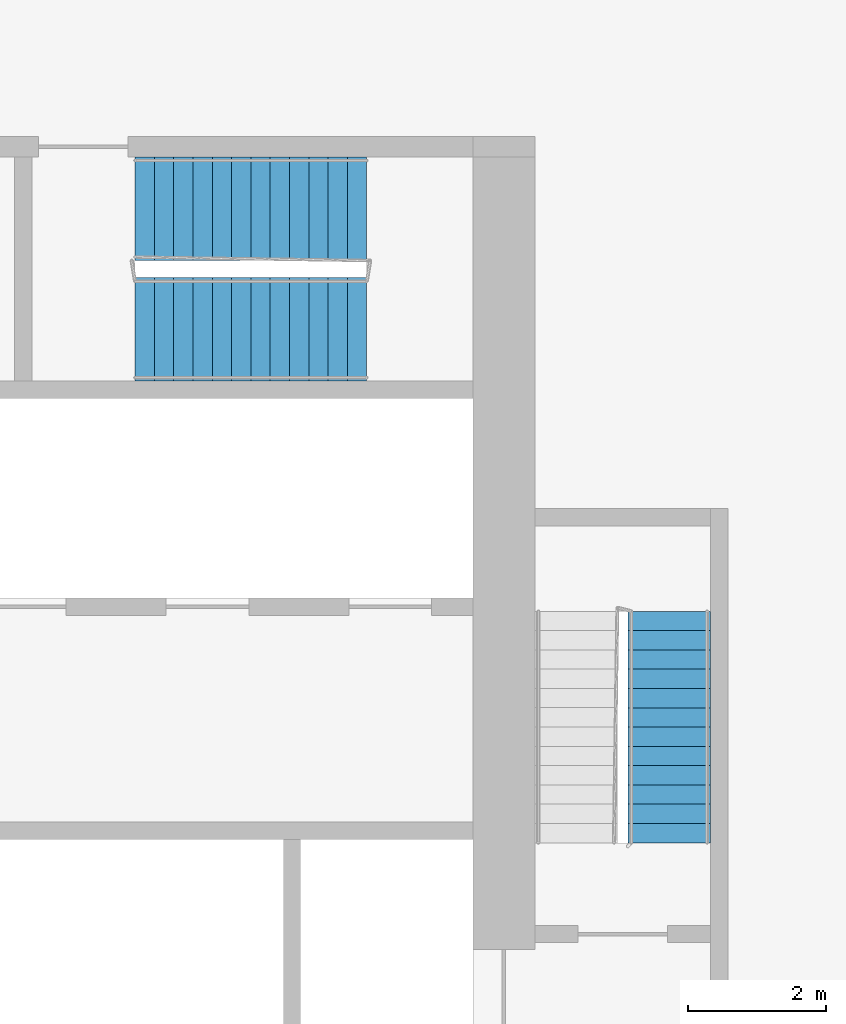
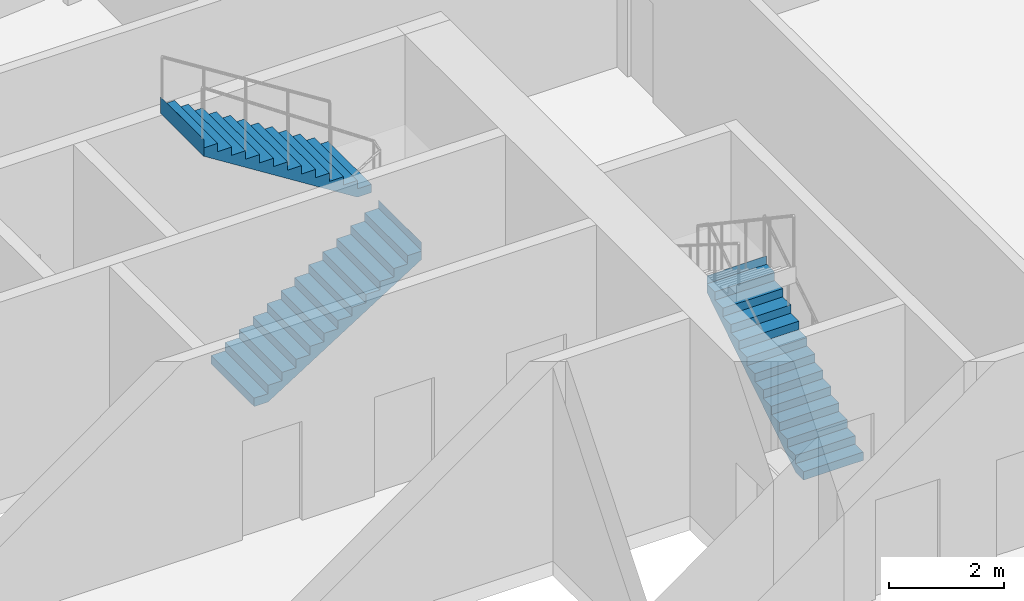
# One storey, part 20 of 22: 3 stair flights, 2 elements without a shape of their own.
"""IFC4 building model written with IfcOpenShell, lengths in metres."""

from ifc_helpers import new_model, si_unit, direction, frame, origin, place, context, subcontext, project, spatial, faceted_brep, material, type_object, element, aggregate, save


model = new_model("IFC4")

# Units and contexts
model_context = context("Model", 3, precision=1e-05, world=origin(), true_north=direction((0.0, 1.0)))
body_context = subcontext(model_context, "Body", "Model", "MODEL_VIEW")
ifc_project = project(units=[si_unit("LENGTHUNIT", "METRE"), si_unit("AREAUNIT", "SQUARE_METRE"), si_unit("VOLUMEUNIT", "CUBIC_METRE"), si_unit("PLANEANGLEUNIT", "RADIAN"), si_unit("MASSUNIT", "GRAM", prefix="KILO")], contexts=[model_context])

# Site, building, storey
site_placement = place(None, origin())
site = spatial("IfcSite", under=ifc_project, at=site_placement, CompositionType="ELEMENT")
building_placement = place(site_placement, origin())
building = spatial("IfcBuilding", under=site, at=building_placement, Name="Kajstack Hotel Tower", CompositionType="ELEMENT")
storey_placement = place(building_placement, frame((0.0, 0.0, 150.39990234375)))
storey = spatial("IfcBuildingStorey", under=building, at=storey_placement, Name="L35", CompositionType="ELEMENT", Elevation=150.39990234375)

# Stair, stair flight
ifc_material = material(Name="Concrete C40/50", Category="concrete")
stair_type_1 = type_object("IfcStairType", Name="Exit stair 1200", PredefinedType="HALF_TURN_STAIR", material=ifc_material)
stair_1_placement = place(storey_placement, origin())
stair_1 = element("IfcStair", 1, at=stair_1_placement, inside=storey, type_object=stair_type_1, Name="L35 stair E1", PredefinedType="HALF_TURN_STAIR")
stair_flight_type_1 = type_object("IfcStairFlightType", Name="Exit stair flight 1200", PredefinedType="STRAIGHT", material=ifc_material)
stair_flight_1_placement = place(storey_placement, frame((33.449951171875, 5.25, 0.0), z_axis=(0.0, 0.0, 1.0), x_axis=(0.0, 1.0, 0.0)))
stair_flight_1 = element("IfcStairFlight", 2, at=stair_flight_1_placement, type_object=stair_flight_type_1, Name="E1 flight 1", NumberOfRisers=13, NumberOfTreads=12, PredefinedType="STRAIGHT", RiserHeight=0.176923077, TreadLength=0.28, context=body_context, shape_type="Brep", body=[
    faceted_brep([(0.281005859375, -0.60009765625, 0.0), (3.360595703125, -0.60009765625, 1.94580078125), (3.360595703125, -0.60009765625, 2.300048828125), (3.360107421875, -0.60009765625, 2.300048828125), (3.360107421875, -0.60009765625, 2.123046875), (3.080078125, -0.60009765625, 2.123046875), (3.080078125, -0.60009765625, 1.946044921875), (2.800048828125, -0.60009765625, 1.946044921875), (2.800048828125, -0.60009765625, 1.769287109375), (2.52001953125, -0.60009765625, 1.769287109375), (2.52001953125, -0.60009765625, 1.59228515625), (2.239990234375, -0.60009765625, 1.59228515625), (2.239990234375, -0.60009765625, 1.415283203125), (1.9599609375, -0.60009765625, 1.415283203125), (1.9599609375, -0.60009765625, 1.238525390625), (1.679931640625, -0.60009765625, 1.238525390625), (1.679931640625, -0.60009765625, 1.0615234375), (1.39990234375, -0.60009765625, 1.0615234375), (1.39990234375, -0.60009765625, 0.884521484375), (1.1201171875, -0.60009765625, 0.884521484375), (1.1201171875, -0.60009765625, 0.707763671875), (0.840087890625, -0.60009765625, 0.707763671875), (0.840087890625, -0.60009765625, 0.53076171875), (0.56005859375, -0.60009765625, 0.53076171875), (0.56005859375, -0.60009765625, 0.353759765625), (0.280029296875, -0.60009765625, 0.353759765625), (0.280029296875, -0.60009765625, 0.177001953125), (-0.00048828125, -0.60009765625, 0.177001953125), (-0.00048828125, -0.60009765625, 0.0), (-0.00048828125, 0.60009765625, 0.0), (-0.00048828125, 0.60009765625, 0.177001953125), (0.280029296875, 0.60009765625, 0.177001953125), (0.280029296875, 0.60009765625, 0.353759765625), (0.56005859375, 0.60009765625, 0.353759765625), (0.56005859375, 0.60009765625, 0.53076171875), (0.840087890625, 0.60009765625, 0.53076171875), (0.840087890625, 0.60009765625, 0.707763671875), (1.1201171875, 0.60009765625, 0.707763671875), (1.1201171875, 0.60009765625, 0.884521484375), (1.39990234375, 0.60009765625, 0.884521484375), (1.39990234375, 0.60009765625, 1.0615234375), (1.679931640625, 0.60009765625, 1.0615234375), (1.679931640625, 0.60009765625, 1.238525390625), (1.9599609375, 0.60009765625, 1.238525390625), (1.9599609375, 0.60009765625, 1.415283203125), (2.239990234375, 0.60009765625, 1.415283203125), (2.239990234375, 0.60009765625, 1.59228515625), (2.52001953125, 0.60009765625, 1.59228515625), (2.52001953125, 0.60009765625, 1.769287109375), (2.800048828125, 0.60009765625, 1.769287109375), (2.800048828125, 0.60009765625, 1.946044921875), (3.080078125, 0.60009765625, 1.946044921875), (3.080078125, 0.60009765625, 2.123046875), (3.360107421875, 0.60009765625, 2.123046875), (3.360107421875, 0.60009765625, 2.300048828125), (3.360595703125, 0.60009765625, 2.300048828125), (3.360595703125, 0.60009765625, 1.94580078125), (0.281005859375, 0.60009765625, 0.0), (-0.00048828125, -0.300048828125, 0.177001953125), (-0.00048828125, 0.0, 0.177001953125), (-0.00048828125, 0.300048828125, 0.177001953125), (-0.00048828125, 0.300048828125, 0.0), (-0.00048828125, 0.0, 0.0), (-0.00048828125, -0.300048828125, 0.0), (0.280029296875, -0.300048828125, 0.177001953125), (0.280029296875, 0.0, 0.177001953125), (0.280029296875, 0.300048828125, 0.177001953125), (0.280029296875, -0.300048828125, 0.353759765625), (0.280029296875, 0.0, 0.353759765625), (0.280029296875, 0.300048828125, 0.353759765625), (0.56005859375, -0.300048828125, 0.353759765625), (0.56005859375, 0.0, 0.353759765625), (0.56005859375, 0.300048828125, 0.353759765625), (0.56005859375, -0.300048828125, 0.53076171875), (0.56005859375, 0.0, 0.53076171875), (0.56005859375, 0.300048828125, 0.53076171875), (0.840087890625, -0.300048828125, 0.53076171875), (0.840087890625, 0.0, 0.53076171875), (0.840087890625, 0.300048828125, 0.53076171875), (0.840087890625, -0.300048828125, 0.707763671875), (0.840087890625, 0.0, 0.707763671875), (0.840087890625, 0.300048828125, 0.707763671875), (1.1201171875, -0.300048828125, 0.707763671875), (1.1201171875, 0.0, 0.707763671875), (1.1201171875, 0.300048828125, 0.707763671875), (1.1201171875, -0.300048828125, 0.884521484375), (1.1201171875, 0.0, 0.884521484375), (1.1201171875, 0.300048828125, 0.884521484375), (1.39990234375, -0.300048828125, 0.884521484375), (1.39990234375, 0.0, 0.884521484375), (1.39990234375, 0.300048828125, 0.884521484375), (1.39990234375, -0.300048828125, 1.0615234375), (1.39990234375, 0.0, 1.0615234375), (1.39990234375, 0.300048828125, 1.0615234375), (1.679931640625, -0.300048828125, 1.0615234375), (1.679931640625, 0.0, 1.0615234375), (1.679931640625, 0.300048828125, 1.0615234375), (1.679931640625, -0.300048828125, 1.238525390625), (1.679931640625, 0.0, 1.238525390625), (1.679931640625, 0.300048828125, 1.238525390625), (1.9599609375, -0.300048828125, 1.238525390625), (1.9599609375, 0.0, 1.238525390625), (1.9599609375, 0.300048828125, 1.238525390625), (1.9599609375, -0.300048828125, 1.415283203125), (1.9599609375, 0.0, 1.415283203125), (1.9599609375, 0.300048828125, 1.415283203125), (2.239990234375, -0.300048828125, 1.415283203125), (2.239990234375, 0.0, 1.415283203125), (2.239990234375, 0.300048828125, 1.415283203125), (2.239990234375, -0.300048828125, 1.59228515625), (2.239990234375, 0.0, 1.59228515625), (2.239990234375, 0.300048828125, 1.59228515625), (2.52001953125, -0.300048828125, 1.59228515625), (2.52001953125, 0.0, 1.59228515625), (2.52001953125, 0.300048828125, 1.59228515625), (2.52001953125, -0.300048828125, 1.769287109375), (2.52001953125, 0.0, 1.769287109375), (2.52001953125, 0.300048828125, 1.769287109375), (2.800048828125, -0.300048828125, 1.769287109375), (2.800048828125, 0.0, 1.769287109375), (2.800048828125, 0.300048828125, 1.769287109375), (2.800048828125, -0.300048828125, 1.946044921875), (2.800048828125, 0.0, 1.946044921875), (2.800048828125, 0.300048828125, 1.946044921875), (3.080078125, -0.300048828125, 1.946044921875), (3.080078125, 0.0, 1.946044921875), (3.080078125, 0.300048828125, 1.946044921875), (3.080078125, -0.300048828125, 2.123046875), (3.080078125, 0.0, 2.123046875), (3.080078125, 0.300048828125, 2.123046875), (3.360107421875, -0.300048828125, 2.123046875), (3.360107421875, 0.0, 2.123046875), (3.360107421875, 0.300048828125, 2.123046875), (3.360107421875, -0.300048828125, 2.300048828125), (3.360107421875, 0.0, 2.300048828125), (3.360107421875, 0.300048828125, 2.300048828125), (3.360595703125, -0.300048828125, 2.300048828125), (3.360595703125, 0.0, 2.300048828125), (3.360595703125, 0.300048828125, 2.300048828125), (3.360595703125, -0.300048828125, 1.94580078125), (3.360595703125, 0.0, 1.94580078125), (3.360595703125, 0.300048828125, 1.94580078125), (0.281005859375, -0.300048828125, 0.0), (0.281005859375, 0.0, 0.0), (0.281005859375, 0.300048828125, 0.0)], [[[0, 1, 2, 3, 4, 5, 6, 7, 8, 9, 10, 11, 12, 13, 14, 15, 16, 17, 18, 19, 20, 21, 22, 23, 24, 25, 26, 27, 28]], [[29, 30, 31, 32, 33, 34, 35, 36, 37, 38, 39, 40, 41, 42, 43, 44, 45, 46, 47, 48, 49, 50, 51, 52, 53, 54, 55, 56, 57]], [[27, 58, 59, 60, 30, 29, 61, 62, 63, 28]], [[26, 64, 65, 66, 31, 30, 60, 59, 58, 27]], [[25, 67, 68, 69, 32, 31, 66, 65, 64, 26]], [[24, 70, 71, 72, 33, 32, 69, 68, 67, 25]], [[23, 73, 74, 75, 34, 33, 72, 71, 70, 24]], [[22, 76, 77, 78, 35, 34, 75, 74, 73, 23]], [[21, 79, 80, 81, 36, 35, 78, 77, 76, 22]], [[20, 82, 83, 84, 37, 36, 81, 80, 79, 21]], [[19, 85, 86, 87, 38, 37, 84, 83, 82, 20]], [[18, 88, 89, 90, 39, 38, 87, 86, 85, 19]], [[17, 91, 92, 93, 40, 39, 90, 89, 88, 18]], [[16, 94, 95, 96, 41, 40, 93, 92, 91, 17]], [[15, 97, 98, 99, 42, 41, 96, 95, 94, 16]], [[14, 100, 101, 102, 43, 42, 99, 98, 97, 15]], [[13, 103, 104, 105, 44, 43, 102, 101, 100, 14]], [[12, 106, 107, 108, 45, 44, 105, 104, 103, 13]], [[11, 109, 110, 111, 46, 45, 108, 107, 106, 12]], [[10, 112, 113, 114, 47, 46, 111, 110, 109, 11]], [[9, 115, 116, 117, 48, 47, 114, 113, 112, 10]], [[8, 118, 119, 120, 49, 48, 117, 116, 115, 9]], [[7, 121, 122, 123, 50, 49, 120, 119, 118, 8]], [[6, 124, 125, 126, 51, 50, 123, 122, 121, 7]], [[5, 127, 128, 129, 52, 51, 126, 125, 124, 6]], [[4, 130, 131, 132, 53, 52, 129, 128, 127, 5]], [[3, 133, 134, 135, 54, 53, 132, 131, 130, 4]], [[2, 136, 137, 138, 55, 54, 135, 134, 133, 3]], [[1, 139, 140, 141, 56, 55, 138, 137, 136, 2]], [[0, 142, 143, 144, 57, 56, 141, 140, 139, 1]], [[28, 63, 62, 61, 29, 57, 144, 143, 142, 0]]]),
])
aggregate(stair_1, [stair_flight_1])

# Stair, stair flights
stair_type_2 = type_object("IfcStairType", Name="Exit stair 1500", PredefinedType="HALF_TURN_STAIR", material=ifc_material)
stair_2_placement = place(storey_placement, origin())
stair_2 = element("IfcStair", 3, at=stair_2_placement, inside=storey, type_object=stair_type_2, Name="L35 stair E3", PredefinedType="HALF_TURN_STAIR")
stair_flight_type_2 = type_object("IfcStairFlightType", Name="Exit stair flight 1500", PredefinedType="STRAIGHT", material=ifc_material)
stair_flight_2_placement = place(storey_placement, frame((25.699951171875, 12.699951171875, 0.0), z_axis=(0.0, 0.0, 1.0), x_axis=(1.0, 0.0, 0.0)))
stair_flight_2 = element("IfcStairFlight", 4, at=stair_flight_2_placement, type_object=stair_flight_type_2, Name="E3 flight 1", NumberOfRisers=13, NumberOfTreads=12, PredefinedType="STRAIGHT", RiserHeight=0.176923077, TreadLength=0.28, context=body_context, shape_type="Brep", body=[
    faceted_brep([(0.281005859375, -0.75, 0.0), (3.360595703125, -0.75, 1.94580078125), (3.360595703125, -0.75, 2.300048828125), (3.360107421875, -0.75, 2.300048828125), (3.360107421875, -0.75, 2.123046875), (3.080078125, -0.75, 2.123046875), (3.080078125, -0.75, 1.946044921875), (2.800048828125, -0.75, 1.946044921875), (2.800048828125, -0.75, 1.769287109375), (2.52001953125, -0.75, 1.769287109375), (2.52001953125, -0.75, 1.59228515625), (2.239990234375, -0.75, 1.59228515625), (2.239990234375, -0.75, 1.415283203125), (1.9599609375, -0.75, 1.415283203125), (1.9599609375, -0.75, 1.238525390625), (1.679931640625, -0.75, 1.238525390625), (1.679931640625, -0.75, 1.0615234375), (1.39990234375, -0.75, 1.0615234375), (1.39990234375, -0.75, 0.884521484375), (1.1201171875, -0.75, 0.884521484375), (1.1201171875, -0.75, 0.707763671875), (0.840087890625, -0.75, 0.707763671875), (0.840087890625, -0.75, 0.53076171875), (0.56005859375, -0.75, 0.53076171875), (0.56005859375, -0.75, 0.353759765625), (0.280029296875, -0.75, 0.353759765625), (0.280029296875, -0.75, 0.177001953125), (-0.00048828125, -0.75, 0.177001953125), (-0.00048828125, -0.75, 0.0), (-0.00048828125, 0.75, 0.0), (-0.00048828125, 0.75, 0.177001953125), (0.280029296875, 0.75, 0.177001953125), (0.280029296875, 0.75, 0.353759765625), (0.56005859375, 0.75, 0.353759765625), (0.56005859375, 0.75, 0.53076171875), (0.840087890625, 0.75, 0.53076171875), (0.840087890625, 0.75, 0.707763671875), (1.1201171875, 0.75, 0.707763671875), (1.1201171875, 0.75, 0.884521484375), (1.39990234375, 0.75, 0.884521484375), (1.39990234375, 0.75, 1.0615234375), (1.679931640625, 0.75, 1.0615234375), (1.679931640625, 0.75, 1.238525390625), (1.9599609375, 0.75, 1.238525390625), (1.9599609375, 0.75, 1.415283203125), (2.239990234375, 0.75, 1.415283203125), (2.239990234375, 0.75, 1.59228515625), (2.52001953125, 0.75, 1.59228515625), (2.52001953125, 0.75, 1.769287109375), (2.800048828125, 0.75, 1.769287109375), (2.800048828125, 0.75, 1.946044921875), (3.080078125, 0.75, 1.946044921875), (3.080078125, 0.75, 2.123046875), (3.360107421875, 0.75, 2.123046875), (3.360107421875, 0.75, 2.300048828125), (3.360595703125, 0.75, 2.300048828125), (3.360595703125, 0.75, 1.94580078125), (0.281005859375, 0.75, 0.0), (-0.00048828125, -0.375, 0.177001953125), (-0.00048828125, 0.0, 0.177001953125), (-0.00048828125, 0.375, 0.177001953125), (-0.00048828125, 0.375, 0.0), (-0.00048828125, 0.0, 0.0), (-0.00048828125, -0.375, 0.0), (0.280029296875, -0.375, 0.177001953125), (0.280029296875, 0.0, 0.177001953125), (0.280029296875, 0.375, 0.177001953125), (0.280029296875, -0.375, 0.353759765625), (0.280029296875, 0.0, 0.353759765625), (0.280029296875, 0.375, 0.353759765625), (0.56005859375, -0.375, 0.353759765625), (0.56005859375, 0.0, 0.353759765625), (0.56005859375, 0.375, 0.353759765625), (0.56005859375, -0.375, 0.53076171875), (0.56005859375, 0.0, 0.53076171875), (0.56005859375, 0.375, 0.53076171875), (0.840087890625, -0.375, 0.53076171875), (0.840087890625, 0.0, 0.53076171875), (0.840087890625, 0.375, 0.53076171875), (0.840087890625, -0.375, 0.707763671875), (0.840087890625, 0.0, 0.707763671875), (0.840087890625, 0.375, 0.707763671875), (1.1201171875, -0.375, 0.707763671875), (1.1201171875, 0.0, 0.707763671875), (1.1201171875, 0.375, 0.707763671875), (1.1201171875, -0.375, 0.884521484375), (1.1201171875, 0.0, 0.884521484375), (1.1201171875, 0.375, 0.884521484375), (1.39990234375, -0.375, 0.884521484375), (1.39990234375, 0.0, 0.884521484375), (1.39990234375, 0.375, 0.884521484375), (1.39990234375, -0.375, 1.0615234375), (1.39990234375, 0.0, 1.0615234375), (1.39990234375, 0.375, 1.0615234375), (1.679931640625, -0.375, 1.0615234375), (1.679931640625, 0.0, 1.0615234375), (1.679931640625, 0.375, 1.0615234375), (1.679931640625, -0.375, 1.238525390625), (1.679931640625, 0.0, 1.238525390625), (1.679931640625, 0.375, 1.238525390625), (1.9599609375, -0.375, 1.238525390625), (1.9599609375, 0.0, 1.238525390625), (1.9599609375, 0.375, 1.238525390625), (1.9599609375, -0.375, 1.415283203125), (1.9599609375, 0.0, 1.415283203125), (1.9599609375, 0.375, 1.415283203125), (2.239990234375, -0.375, 1.415283203125), (2.239990234375, 0.0, 1.415283203125), (2.239990234375, 0.375, 1.415283203125), (2.239990234375, -0.375, 1.59228515625), (2.239990234375, 0.0, 1.59228515625), (2.239990234375, 0.375, 1.59228515625), (2.52001953125, -0.375, 1.59228515625), (2.52001953125, 0.0, 1.59228515625), (2.52001953125, 0.375, 1.59228515625), (2.52001953125, -0.375, 1.769287109375), (2.52001953125, 0.0, 1.769287109375), (2.52001953125, 0.375, 1.769287109375), (2.800048828125, -0.375, 1.769287109375), (2.800048828125, 0.0, 1.769287109375), (2.800048828125, 0.375, 1.769287109375), (2.800048828125, -0.375, 1.946044921875), (2.800048828125, 0.0, 1.946044921875), (2.800048828125, 0.375, 1.946044921875), (3.080078125, -0.375, 1.946044921875), (3.080078125, 0.0, 1.946044921875), (3.080078125, 0.375, 1.946044921875), (3.080078125, -0.375, 2.123046875), (3.080078125, 0.0, 2.123046875), (3.080078125, 0.375, 2.123046875), (3.360107421875, -0.375, 2.123046875), (3.360107421875, 0.0, 2.123046875), (3.360107421875, 0.375, 2.123046875), (3.360107421875, -0.375, 2.300048828125), (3.360107421875, 0.0, 2.300048828125), (3.360107421875, 0.375, 2.300048828125), (3.360595703125, -0.375, 2.300048828125), (3.360595703125, 0.0, 2.300048828125), (3.360595703125, 0.375, 2.300048828125), (3.360595703125, -0.375, 1.94580078125), (3.360595703125, 0.0, 1.94580078125), (3.360595703125, 0.375, 1.94580078125), (0.281005859375, -0.375, 0.0), (0.281005859375, 0.0, 0.0), (0.281005859375, 0.375, 0.0)], [[[0, 1, 2, 3, 4, 5, 6, 7, 8, 9, 10, 11, 12, 13, 14, 15, 16, 17, 18, 19, 20, 21, 22, 23, 24, 25, 26, 27, 28]], [[29, 30, 31, 32, 33, 34, 35, 36, 37, 38, 39, 40, 41, 42, 43, 44, 45, 46, 47, 48, 49, 50, 51, 52, 53, 54, 55, 56, 57]], [[27, 58, 59, 60, 30, 29, 61, 62, 63, 28]], [[26, 64, 65, 66, 31, 30, 60, 59, 58, 27]], [[25, 67, 68, 69, 32, 31, 66, 65, 64, 26]], [[24, 70, 71, 72, 33, 32, 69, 68, 67, 25]], [[23, 73, 74, 75, 34, 33, 72, 71, 70, 24]], [[22, 76, 77, 78, 35, 34, 75, 74, 73, 23]], [[21, 79, 80, 81, 36, 35, 78, 77, 76, 22]], [[20, 82, 83, 84, 37, 36, 81, 80, 79, 21]], [[19, 85, 86, 87, 38, 37, 84, 83, 82, 20]], [[18, 88, 89, 90, 39, 38, 87, 86, 85, 19]], [[17, 91, 92, 93, 40, 39, 90, 89, 88, 18]], [[16, 94, 95, 96, 41, 40, 93, 92, 91, 17]], [[15, 97, 98, 99, 42, 41, 96, 95, 94, 16]], [[14, 100, 101, 102, 43, 42, 99, 98, 97, 15]], [[13, 103, 104, 105, 44, 43, 102, 101, 100, 14]], [[12, 106, 107, 108, 45, 44, 105, 104, 103, 13]], [[11, 109, 110, 111, 46, 45, 108, 107, 106, 12]], [[10, 112, 113, 114, 47, 46, 111, 110, 109, 11]], [[9, 115, 116, 117, 48, 47, 114, 113, 112, 10]], [[8, 118, 119, 120, 49, 48, 117, 116, 115, 9]], [[7, 121, 122, 123, 50, 49, 120, 119, 118, 8]], [[6, 124, 125, 126, 51, 50, 123, 122, 121, 7]], [[5, 127, 128, 129, 52, 51, 126, 125, 124, 6]], [[4, 130, 131, 132, 53, 52, 129, 128, 127, 5]], [[3, 133, 134, 135, 54, 53, 132, 131, 130, 4]], [[2, 136, 137, 138, 55, 54, 135, 134, 133, 3]], [[1, 139, 140, 141, 56, 55, 138, 137, 136, 2]], [[0, 142, 143, 144, 57, 56, 141, 140, 139, 1]], [[28, 63, 62, 61, 29, 57, 144, 143, 142, 0]]]),
])
stair_flight_3_placement = place(storey_placement, frame((29.06005859375, 14.449951171875, 2.300048828125), z_axis=(0.0, 0.0, 1.0), x_axis=(-1.0, 0.0, 0.0)))
stair_flight_3 = element("IfcStairFlight", 5, at=stair_flight_3_placement, type_object=stair_flight_type_2, Name="E3 flight 2", NumberOfRisers=13, NumberOfTreads=12, PredefinedType="STRAIGHT", RiserHeight=0.176923077, TreadLength=0.28, context=body_context, shape_type="Brep", body=[
    faceted_brep([(0.281005859375, -0.75, 0.0), (3.360595703125, -0.75, 1.94580078125), (3.360595703125, -0.75, 2.300048828125), (3.360107421875, -0.75, 2.300048828125), (3.360107421875, -0.75, 2.123046875), (3.080078125, -0.75, 2.123046875), (3.080078125, -0.75, 1.946044921875), (2.800048828125, -0.75, 1.946044921875), (2.800048828125, -0.75, 1.769287109375), (2.52001953125, -0.75, 1.769287109375), (2.52001953125, -0.75, 1.59228515625), (2.239990234375, -0.75, 1.59228515625), (2.239990234375, -0.75, 1.415283203125), (1.9599609375, -0.75, 1.415283203125), (1.9599609375, -0.75, 1.238525390625), (1.679931640625, -0.75, 1.238525390625), (1.679931640625, -0.75, 1.0615234375), (1.39990234375, -0.75, 1.0615234375), (1.39990234375, -0.75, 0.884521484375), (1.1201171875, -0.75, 0.884521484375), (1.1201171875, -0.75, 0.707763671875), (0.840087890625, -0.75, 0.707763671875), (0.840087890625, -0.75, 0.53076171875), (0.56005859375, -0.75, 0.53076171875), (0.56005859375, -0.75, 0.353759765625), (0.280029296875, -0.75, 0.353759765625), (0.280029296875, -0.75, 0.177001953125), (-0.00048828125, -0.75, 0.177001953125), (-0.00048828125, -0.75, 0.0), (-0.00048828125, 0.75, 0.0), (-0.00048828125, 0.75, 0.177001953125), (0.280029296875, 0.75, 0.177001953125), (0.280029296875, 0.75, 0.353759765625), (0.56005859375, 0.75, 0.353759765625), (0.56005859375, 0.75, 0.53076171875), (0.840087890625, 0.75, 0.53076171875), (0.840087890625, 0.75, 0.707763671875), (1.1201171875, 0.75, 0.707763671875), (1.1201171875, 0.75, 0.884521484375), (1.39990234375, 0.75, 0.884521484375), (1.39990234375, 0.75, 1.0615234375), (1.679931640625, 0.75, 1.0615234375), (1.679931640625, 0.75, 1.238525390625), (1.9599609375, 0.75, 1.238525390625), (1.9599609375, 0.75, 1.415283203125), (2.239990234375, 0.75, 1.415283203125), (2.239990234375, 0.75, 1.59228515625), (2.52001953125, 0.75, 1.59228515625), (2.52001953125, 0.75, 1.769287109375), (2.800048828125, 0.75, 1.769287109375), (2.800048828125, 0.75, 1.946044921875), (3.080078125, 0.75, 1.946044921875), (3.080078125, 0.75, 2.123046875), (3.360107421875, 0.75, 2.123046875), (3.360107421875, 0.75, 2.300048828125), (3.360595703125, 0.75, 2.300048828125), (3.360595703125, 0.75, 1.94580078125), (0.281005859375, 0.75, 0.0), (-0.00048828125, -0.375, 0.177001953125), (-0.00048828125, 0.0, 0.177001953125), (-0.00048828125, 0.375, 0.177001953125), (-0.00048828125, 0.375, 0.0), (-0.00048828125, 0.0, 0.0), (-0.00048828125, -0.375, 0.0), (0.280029296875, -0.375, 0.177001953125), (0.280029296875, 0.0, 0.177001953125), (0.280029296875, 0.375, 0.177001953125), (0.280029296875, -0.375, 0.353759765625), (0.280029296875, 0.0, 0.353759765625), (0.280029296875, 0.375, 0.353759765625), (0.56005859375, -0.375, 0.353759765625), (0.56005859375, 0.0, 0.353759765625), (0.56005859375, 0.375, 0.353759765625), (0.56005859375, -0.375, 0.53076171875), (0.56005859375, 0.0, 0.53076171875), (0.56005859375, 0.375, 0.53076171875), (0.840087890625, -0.375, 0.53076171875), (0.840087890625, 0.0, 0.53076171875), (0.840087890625, 0.375, 0.53076171875), (0.840087890625, -0.375, 0.707763671875), (0.840087890625, 0.0, 0.707763671875), (0.840087890625, 0.375, 0.707763671875), (1.1201171875, -0.375, 0.707763671875), (1.1201171875, 0.0, 0.707763671875), (1.1201171875, 0.375, 0.707763671875), (1.1201171875, -0.375, 0.884521484375), (1.1201171875, 0.0, 0.884521484375), (1.1201171875, 0.375, 0.884521484375), (1.39990234375, -0.375, 0.884521484375), (1.39990234375, 0.0, 0.884521484375), (1.39990234375, 0.375, 0.884521484375), (1.39990234375, -0.375, 1.0615234375), (1.39990234375, 0.0, 1.0615234375), (1.39990234375, 0.375, 1.0615234375), (1.679931640625, -0.375, 1.0615234375), (1.679931640625, 0.0, 1.0615234375), (1.679931640625, 0.375, 1.0615234375), (1.679931640625, -0.375, 1.238525390625), (1.679931640625, 0.0, 1.238525390625), (1.679931640625, 0.375, 1.238525390625), (1.9599609375, -0.375, 1.238525390625), (1.9599609375, 0.0, 1.238525390625), (1.9599609375, 0.375, 1.238525390625), (1.9599609375, -0.375, 1.415283203125), (1.9599609375, 0.0, 1.415283203125), (1.9599609375, 0.375, 1.415283203125), (2.239990234375, -0.375, 1.415283203125), (2.239990234375, 0.0, 1.415283203125), (2.239990234375, 0.375, 1.415283203125), (2.239990234375, -0.375, 1.59228515625), (2.239990234375, 0.0, 1.59228515625), (2.239990234375, 0.375, 1.59228515625), (2.52001953125, -0.375, 1.59228515625), (2.52001953125, 0.0, 1.59228515625), (2.52001953125, 0.375, 1.59228515625), (2.52001953125, -0.375, 1.769287109375), (2.52001953125, 0.0, 1.769287109375), (2.52001953125, 0.375, 1.769287109375), (2.800048828125, -0.375, 1.769287109375), (2.800048828125, 0.0, 1.769287109375), (2.800048828125, 0.375, 1.769287109375), (2.800048828125, -0.375, 1.946044921875), (2.800048828125, 0.0, 1.946044921875), (2.800048828125, 0.375, 1.946044921875), (3.080078125, -0.375, 1.946044921875), (3.080078125, 0.0, 1.946044921875), (3.080078125, 0.375, 1.946044921875), (3.080078125, -0.375, 2.123046875), (3.080078125, 0.0, 2.123046875), (3.080078125, 0.375, 2.123046875), (3.360107421875, -0.375, 2.123046875), (3.360107421875, 0.0, 2.123046875), (3.360107421875, 0.375, 2.123046875), (3.360107421875, -0.375, 2.300048828125), (3.360107421875, 0.0, 2.300048828125), (3.360107421875, 0.375, 2.300048828125), (3.360595703125, -0.375, 2.300048828125), (3.360595703125, 0.0, 2.300048828125), (3.360595703125, 0.375, 2.300048828125), (3.360595703125, -0.375, 1.94580078125), (3.360595703125, 0.0, 1.94580078125), (3.360595703125, 0.375, 1.94580078125), (0.281005859375, -0.375, 0.0), (0.281005859375, 0.0, 0.0), (0.281005859375, 0.375, 0.0)], [[[0, 1, 2, 3, 4, 5, 6, 7, 8, 9, 10, 11, 12, 13, 14, 15, 16, 17, 18, 19, 20, 21, 22, 23, 24, 25, 26, 27, 28]], [[29, 30, 31, 32, 33, 34, 35, 36, 37, 38, 39, 40, 41, 42, 43, 44, 45, 46, 47, 48, 49, 50, 51, 52, 53, 54, 55, 56, 57]], [[27, 58, 59, 60, 30, 29, 61, 62, 63, 28]], [[26, 64, 65, 66, 31, 30, 60, 59, 58, 27]], [[25, 67, 68, 69, 32, 31, 66, 65, 64, 26]], [[24, 70, 71, 72, 33, 32, 69, 68, 67, 25]], [[23, 73, 74, 75, 34, 33, 72, 71, 70, 24]], [[22, 76, 77, 78, 35, 34, 75, 74, 73, 23]], [[21, 79, 80, 81, 36, 35, 78, 77, 76, 22]], [[20, 82, 83, 84, 37, 36, 81, 80, 79, 21]], [[19, 85, 86, 87, 38, 37, 84, 83, 82, 20]], [[18, 88, 89, 90, 39, 38, 87, 86, 85, 19]], [[17, 91, 92, 93, 40, 39, 90, 89, 88, 18]], [[16, 94, 95, 96, 41, 40, 93, 92, 91, 17]], [[15, 97, 98, 99, 42, 41, 96, 95, 94, 16]], [[14, 100, 101, 102, 43, 42, 99, 98, 97, 15]], [[13, 103, 104, 105, 44, 43, 102, 101, 100, 14]], [[12, 106, 107, 108, 45, 44, 105, 104, 103, 13]], [[11, 109, 110, 111, 46, 45, 108, 107, 106, 12]], [[10, 112, 113, 114, 47, 46, 111, 110, 109, 11]], [[9, 115, 116, 117, 48, 47, 114, 113, 112, 10]], [[8, 118, 119, 120, 49, 48, 117, 116, 115, 9]], [[7, 121, 122, 123, 50, 49, 120, 119, 118, 8]], [[6, 124, 125, 126, 51, 50, 123, 122, 121, 7]], [[5, 127, 128, 129, 52, 51, 126, 125, 124, 6]], [[4, 130, 131, 132, 53, 52, 129, 128, 127, 5]], [[3, 133, 134, 135, 54, 53, 132, 131, 130, 4]], [[2, 136, 137, 138, 55, 54, 135, 134, 133, 3]], [[1, 139, 140, 141, 56, 55, 138, 137, 136, 2]], [[0, 142, 143, 144, 57, 56, 141, 140, 139, 1]], [[28, 63, 62, 61, 29, 57, 144, 143, 142, 0]]]),
])
aggregate(stair_2, [stair_flight_2, stair_flight_3])

save(model, "model.ifc")
